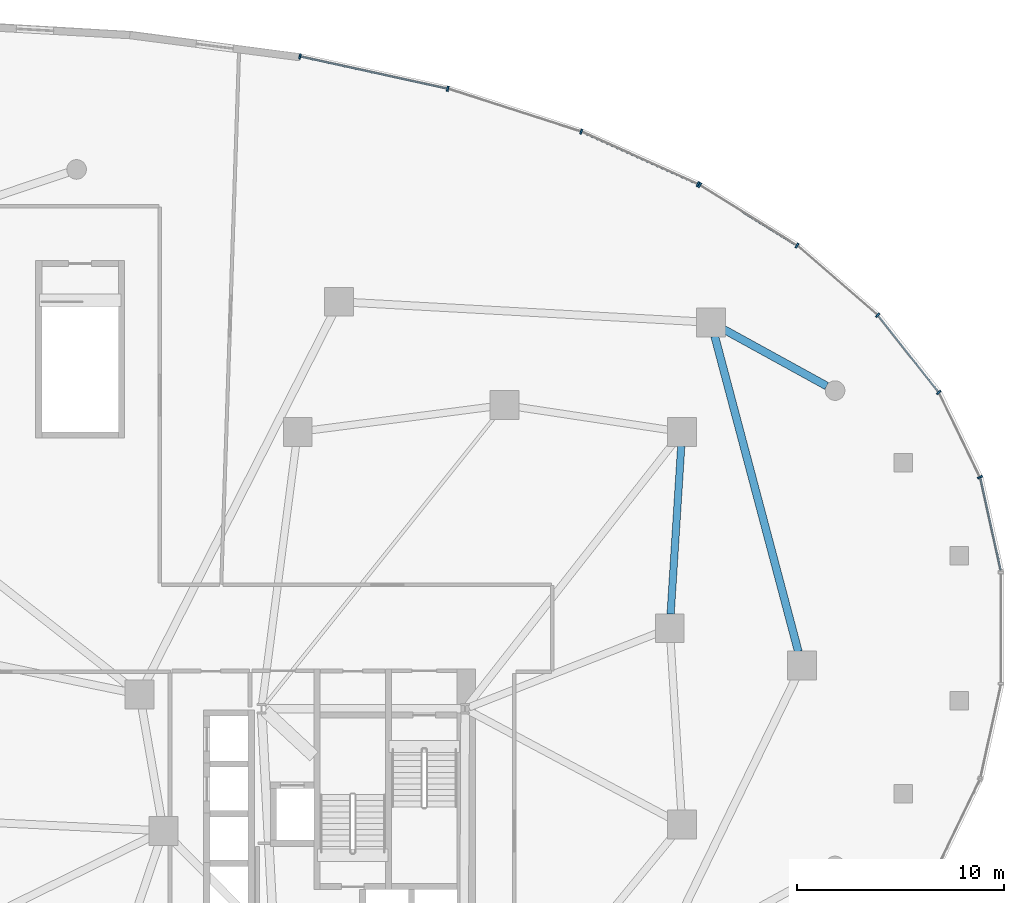
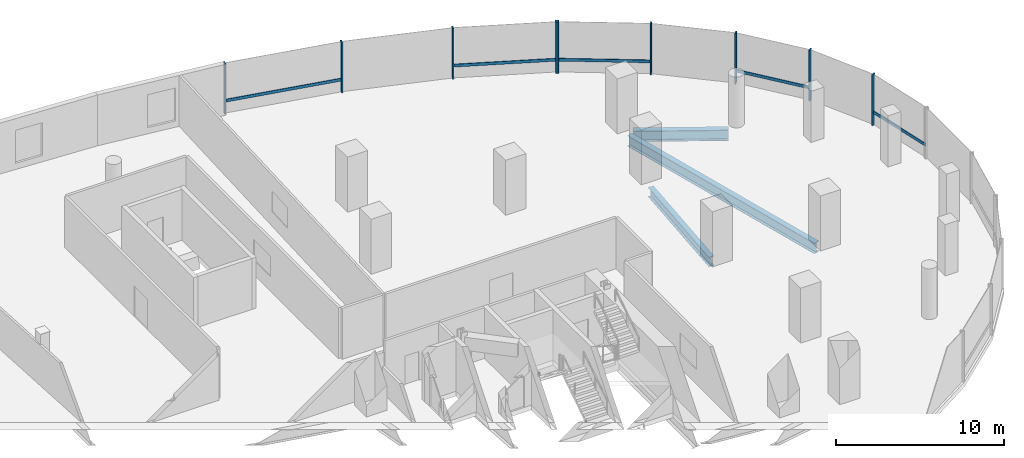
# One storey, part 10 of 18: 14 members, 3 beams, 2 elements without a shape of their own.
"""IFC4 building model written with IfcOpenShell, lengths in metres."""

from ifc_helpers import new_model, si_unit, direction, frame, origin, origin_2d, place, context, subcontext, project, spatial, rectangle, i_section, extrude, material, material_profile, profile_set, type_object, element, aggregate, save


model = new_model("IFC4")

# Units and contexts
model_context = context("Model", 3, precision=1e-05, world=origin(), true_north=direction((0.0, 1.0)))
body_context = subcontext(model_context, "Body", "Model", "MODEL_VIEW")
ifc_project = project(units=[si_unit("LENGTHUNIT", "METRE"), si_unit("AREAUNIT", "SQUARE_METRE"), si_unit("VOLUMEUNIT", "CUBIC_METRE"), si_unit("PLANEANGLEUNIT", "RADIAN"), si_unit("MASSUNIT", "GRAM", prefix="KILO"), si_unit("THERMODYNAMICTEMPERATUREUNIT", "KELVIN"), si_unit("POWERUNIT", "WATT")], contexts=[model_context])

# Site, building, storey
site_placement = place(None, origin())
site = spatial("IfcSite", under=ifc_project, at=site_placement, CompositionType="ELEMENT")
building_placement = place(site_placement, origin())
building = spatial("IfcBuilding", under=site, at=building_placement, Name="Cundina Bronze Exchange", CompositionType="ELEMENT")
storey_placement = place(building_placement, frame((0.0, 0.0, 20.0)))
storey = spatial("IfcBuildingStorey", under=building, at=storey_placement, Name="L04", CompositionType="ELEMENT", Elevation=20.0)

# Beams
ifc_material_1 = material(Name="Steel ASTM A992 Grade 50", Category="steel")
ifc_material_profile_1 = material_profile(ifc_material_1, i_section(OverallWidth=0.35498046875, OverallDepth=0.695068359375, WebThickness=0.015380859375, FlangeThickness=0.02490234375, FilletRadius=0.01806640625, at=origin_2d()), Name="W27X146", Category="steel")
ifc_profile_set_1 = profile_set([ifc_material_profile_1], Name="Steel ASTM A992 Grade 50")
beam_type_1 = type_object("IfcBeamType", Name="BM-RING-W27", PredefinedType="USERDEFINED", material=ifc_profile_set_1)
beam_1_placement = place(storey_placement, frame((41.243408203125, 0.6865234375, -0.697509765625), z_axis=(0.063020359641, 0.998012241544, 0.0), x_axis=(-0.998012241544, 0.063020359641, 0.0)))
element("IfcBeam", 1, at=beam_1_placement, inside=storey, type_object=beam_type_1, Name="L04 E Inner Structural Ring Girder 04", ObjectType="GIRDER", PredefinedType="USERDEFINED", context=body_context, shape_type="SweptSolid", body=[
    extrude(i_section(OverallWidth=0.35498046875, OverallDepth=0.695068359375, WebThickness=0.015380859375, FlangeThickness=0.02490234375, FilletRadius=0.01806640625, at=origin_2d()), origin(), (0.0, 0.0, 1.0), 8.14306640625),
])
ifc_material_profile_2 = material_profile(ifc_material_1, i_section(OverallWidth=0.381103515625, OverallDepth=0.77294921875, WebThickness=0.0166015625, FlangeThickness=0.027099609375, FilletRadius=0.01904296875, at=origin_2d()), Name="W30X173", Category="steel")
ifc_profile_set_2 = profile_set([ifc_material_profile_2], Name="Steel ASTM A992 Grade 50")
beam_type_2 = type_object("IfcBeamType", Name="BM-RING-W30", PredefinedType="USERDEFINED", material=ifc_profile_set_2)
beam_2_placement = place(storey_placement, frame((48.794189453125, 11.72314453125, -0.736572265625), z_axis=(-0.876211384386, 0.481926975663, 0.0), x_axis=(-0.481926975663, -0.876211384386, 0.0)))
element("IfcBeam", 2, at=beam_2_placement, inside=storey, type_object=beam_type_2, Name="L04 Podium Colonnade Tie Beam 07", ObjectType="GIRDER", PredefinedType="USERDEFINED", context=body_context, shape_type="SweptSolid", body=[
    extrude(i_section(OverallWidth=0.381103515625, OverallDepth=0.77294921875, WebThickness=0.0166015625, FlangeThickness=0.027099609375, FilletRadius=0.01904296875, at=origin_2d()), origin(), (0.0, 0.0, 1.0), 5.696533203125),
])
beam_3_placement = place(storey_placement, frame((47.423583984375, -1.135009765625, -0.736572265625), z_axis=(-0.256206036219, 0.966622194554, 0.0), x_axis=(-0.966622194554, -0.256206036219, 0.0)))
element("IfcBeam", 3, at=beam_3_placement, inside=storey, type_object=beam_type_2, Name="L04 E Podium Ring Girder 08", ObjectType="GIRDER", PredefinedType="USERDEFINED", context=body_context, shape_type="SweptSolid", body=[
    extrude(i_section(OverallWidth=0.381103515625, OverallDepth=0.77294921875, WebThickness=0.0166015625, FlangeThickness=0.027099609375, FilletRadius=0.01904296875, at=origin_2d()), origin(), (0.0, 0.0, 1.0), 15.79736328125),
])

# Curtain wall, members
ifc_material_2 = material(Name="Anodised Bronze Aluminium 6063-T6", Category="aluminium")
curtain_wall_type = type_object("IfcCurtainWallType", Name="CWS-POD-CONC", PredefinedType="NOTDEFINED", material=ifc_material_2)
curtain_wall_1_placement = place(storey_placement, origin())
curtain_wall_1 = element("IfcCurtainWall", 4, at=curtain_wall_1_placement, inside=storey, type_object=curtain_wall_type, Name="L04 CW-01 Curtain Wall Run CWR-L04-01", PredefinedType="NOTDEFINED")
ifc_material_profile_3 = material_profile(ifc_material_2, rectangle(XDim=0.0849609375, YDim=0.25, at=origin_2d()), Name="AL85X250", Category="aluminium")
ifc_profile_set_3 = profile_set([ifc_material_profile_3], Name="Anodised Bronze Aluminium 6063-T6")
member_type_1 = type_object("IfcMemberType", Name="CWM-MUL-250", PredefinedType="MULLION", material=ifc_profile_set_3)
member_1_placement = place(storey_placement, frame((56.211669921875, 7.311279296875, 0.0), z_axis=(0.0, 0.0, 1.0), x_axis=(-0.435702445497, 0.900090761528, 0.0)))
member_1 = element("IfcMember", 5, at=member_1_placement, type_object=member_type_1, Name="CW-01 Mullion 2", PredefinedType="MULLION", context=body_context, shape_type="SweptSolid", body=[
    extrude(rectangle(XDim=0.0849609375, YDim=0.25, at=origin_2d()), origin(), (0.0, 0.0, 1.0), 3.699951171875),
])
member_2_placement = place(storey_placement, frame((54.21728515625, 11.408935546875, 0.0), z_axis=(0.0, 0.0, 1.0), x_axis=(-0.61950505541, 0.784992666412, 0.0)))
member_2 = element("IfcMember", 6, at=member_2_placement, type_object=member_type_1, Name="CW-01 Mullion 3", PredefinedType="MULLION", context=body_context, shape_type="SweptSolid", body=[
    extrude(rectangle(XDim=0.0849609375, YDim=0.25, at=origin_2d()), origin(), (0.0, 0.0, 1.0), 3.699951171875),
])
member_3_placement = place(storey_placement, frame((51.257080078125, 15.146484375, 0.0), z_axis=(0.0, 0.0, 1.0), x_axis=(-0.755510544084, 0.6551364879, 0.0)))
member_3 = element("IfcMember", 7, at=member_3_placement, type_object=member_type_1, Name="CW-01 Mullion 4", PredefinedType="MULLION", context=body_context, shape_type="SweptSolid", body=[
    extrude(rectangle(XDim=0.0849609375, YDim=0.25, at=origin_2d()), origin(), (0.0, 0.0, 1.0), 3.699951171875),
])
member_4_placement = place(storey_placement, frame((47.35986328125, 18.515380859375, 0.0), z_axis=(0.0, 0.0, 1.0), x_axis=(-0.849248260906, 0.527993741769, 0.0)))
member_4 = element("IfcMember", 8, at=member_4_placement, type_object=member_type_1, Name="CW-01 Mullion 5", PredefinedType="MULLION", context=body_context, shape_type="SweptSolid", body=[
    extrude(rectangle(XDim=0.0849609375, YDim=0.25, at=origin_2d()), origin(), (0.0, 0.0, 1.0), 3.699951171875),
])
member_5_placement = place(storey_placement, frame((42.654052734375, 21.4404296875, 0.0), z_axis=(0.0, 0.0, 1.0), x_axis=(-0.849248260906, 0.527993741769, 0.0)))
member_5 = element("IfcMember", 9, at=member_5_placement, type_object=member_type_1, Name="CW-01 End Mullion", PredefinedType="MULLION", context=body_context, shape_type="SweptSolid", body=[
    extrude(rectangle(XDim=0.0849609375, YDim=0.25, at=origin_2d()), origin(), (0.0, 0.0, 1.0), 3.699951171875),
])

curtain_wall_2_placement = place(storey_placement, origin())
curtain_wall_2 = element("IfcCurtainWall", 10, at=curtain_wall_2_placement, inside=storey, type_object=curtain_wall_type, Name="L04 CW-01 Curtain Wall Run CWR-L04-02", PredefinedType="NOTDEFINED")
member_6_placement = place(storey_placement, frame((42.566162109375, 21.4873046875, 0.0), z_axis=(0.0, 0.0, 1.0), x_axis=(-0.911618620107, 0.411037092578, 0.0)))
member_6 = element("IfcMember", 11, at=member_6_placement, type_object=member_type_1, Name="CW-01 Mullion 1", PredefinedType="MULLION", context=body_context, shape_type="SweptSolid", body=[
    extrude(rectangle(XDim=0.0849609375, YDim=0.25, at=origin_2d()), origin(), (0.0, 0.0, 1.0), 3.699951171875),
])
member_7_placement = place(storey_placement, frame((36.91796875, 24.027099609375, 0.0), z_axis=(0.0, 0.0, 1.0), x_axis=(-0.951862260753, 0.306526078098, 0.0)))
member_7 = element("IfcMember", 12, at=member_7_placement, type_object=member_type_1, Name="CW-01 Mullion 2", PredefinedType="MULLION", context=body_context, shape_type="SweptSolid", body=[
    extrude(rectangle(XDim=0.0849609375, YDim=0.25, at=origin_2d()), origin(), (0.0, 0.0, 1.0), 3.699951171875),
])
member_8_placement = place(storey_placement, frame((30.456787109375, 26.10302734375, 0.0), z_axis=(0.0, 0.0, 1.0), x_axis=(-0.976896613081, 0.213712440794, 0.0)))
member_8 = element("IfcMember", 13, at=member_8_placement, type_object=member_type_1, Name="CW-01 Mullion 3", PredefinedType="MULLION", context=body_context, shape_type="SweptSolid", body=[
    extrude(rectangle(XDim=0.0849609375, YDim=0.25, at=origin_2d()), origin(), (0.0, 0.0, 1.0), 3.699951171875),
])
member_9_placement = place(storey_placement, frame((23.30810546875, 27.66650390625, 0.0), z_axis=(0.0, 0.0, 1.0), x_axis=(-0.976896613081, 0.213712440794, 0.0)))
member_9 = element("IfcMember", 14, at=member_9_placement, type_object=member_type_1, Name="CW-01 End Mullion", PredefinedType="MULLION", context=body_context, shape_type="SweptSolid", body=[
    extrude(rectangle(XDim=0.0849609375, YDim=0.25, at=origin_2d()), origin(), (0.0, 0.0, 1.0), 3.699951171875),
])

# Member
ifc_material_profile_4 = material_profile(ifc_material_2, rectangle(XDim=0.080078125, YDim=0.2099609375, at=origin_2d()), Name="AL80X210", Category="aluminium")
ifc_profile_set_4 = profile_set([ifc_material_profile_4], Name="Anodised Bronze Aluminium 6063-T6")
member_type_2 = type_object("IfcMemberType", Name="CWM-TRN-210", PredefinedType="USERDEFINED", material=ifc_profile_set_4)
member_10_placement = place(storey_placement, frame((57.209716796875, 2.812744140625, 0.919921875), z_axis=(-0.214548972216, 0.97671323249, 0.0), x_axis=(-0.97671323249, -0.214548972216, 0.0)))
member_10 = element("IfcMember", 15, at=member_10_placement, type_object=member_type_2, Name="CW-01 Spandrel Transom 1", ObjectType="TRANSOM", PredefinedType="USERDEFINED", context=body_context, shape_type="SweptSolid", body=[
    extrude(rectangle(XDim=0.080078125, YDim=0.2099609375, at=origin_2d()), origin(), (0.0, 0.0, 1.0), 4.571044921875),
])

member_11_placement = place(storey_placement, frame((54.1884765625, 11.445556640625, 0.919921875), z_axis=(-0.619486880186, 0.7850070097, 0.0), x_axis=(-0.7850070097, -0.619486880186, 0.0)))
member_11 = element("IfcMember", 16, at=member_11_placement, type_object=member_type_2, Name="CW-01 Spandrel Transom 3", ObjectType="TRANSOM", PredefinedType="USERDEFINED", context=body_context, shape_type="SweptSolid", body=[
    extrude(rectangle(XDim=0.080078125, YDim=0.2099609375, at=origin_2d()), origin(), (0.0, 0.0, 1.0), 4.67724609375),
])

member_12_placement = place(storey_placement, frame((47.3203125, 18.539794921875, 0.919921875), z_axis=(-0.849292385138, 0.527922763808, 0.0), x_axis=(-0.527922763808, -0.849292385138, 0.0)))
member_12 = element("IfcMember", 17, at=member_12_placement, type_object=member_type_2, Name="CW-01 Spandrel Transom 5", ObjectType="TRANSOM", PredefinedType="USERDEFINED", context=body_context, shape_type="SweptSolid", body=[
    extrude(rectangle(XDim=0.080078125, YDim=0.2099609375, at=origin_2d()), origin(), (0.0, 0.0, 1.0), 5.44775390625),
])

aggregate(curtain_wall_1, [member_10, member_1, member_2, member_11, member_3, member_4, member_5, member_12])

member_13_placement = place(storey_placement, frame((42.5234375, 21.506591796875, 0.919921875), z_axis=(-0.911656553379, 0.410952951908, 0.0), x_axis=(-0.410952951908, -0.911656553379, 0.0)))
member_13 = element("IfcMember", 18, at=member_13_placement, type_object=member_type_2, Name="CW-01 Spandrel Transom 1", ObjectType="TRANSOM", PredefinedType="USERDEFINED", context=body_context, shape_type="SweptSolid", body=[
    extrude(rectangle(XDim=0.080078125, YDim=0.2099609375, at=origin_2d()), origin(), (0.0, 0.0, 1.0), 6.090576171875),
])

member_14_placement = place(storey_placement, frame((30.4111328125, 26.113037109375, 0.919921875), z_axis=(-0.976909937501, 0.213651524713, 0.0), x_axis=(-0.213651524713, -0.976909937501, 0.0)))
member_14 = element("IfcMember", 19, at=member_14_placement, type_object=member_type_2, Name="CW-01 Spandrel Transom 3", ObjectType="TRANSOM", PredefinedType="USERDEFINED", context=body_context, shape_type="SweptSolid", body=[
    extrude(rectangle(XDim=0.080078125, YDim=0.2099609375, at=origin_2d()), origin(), (0.0, 0.0, 1.0), 7.22412109375),
])

aggregate(curtain_wall_2, [member_6, member_13, member_7, member_8, member_9, member_14])

save(model, "model.ifc")
